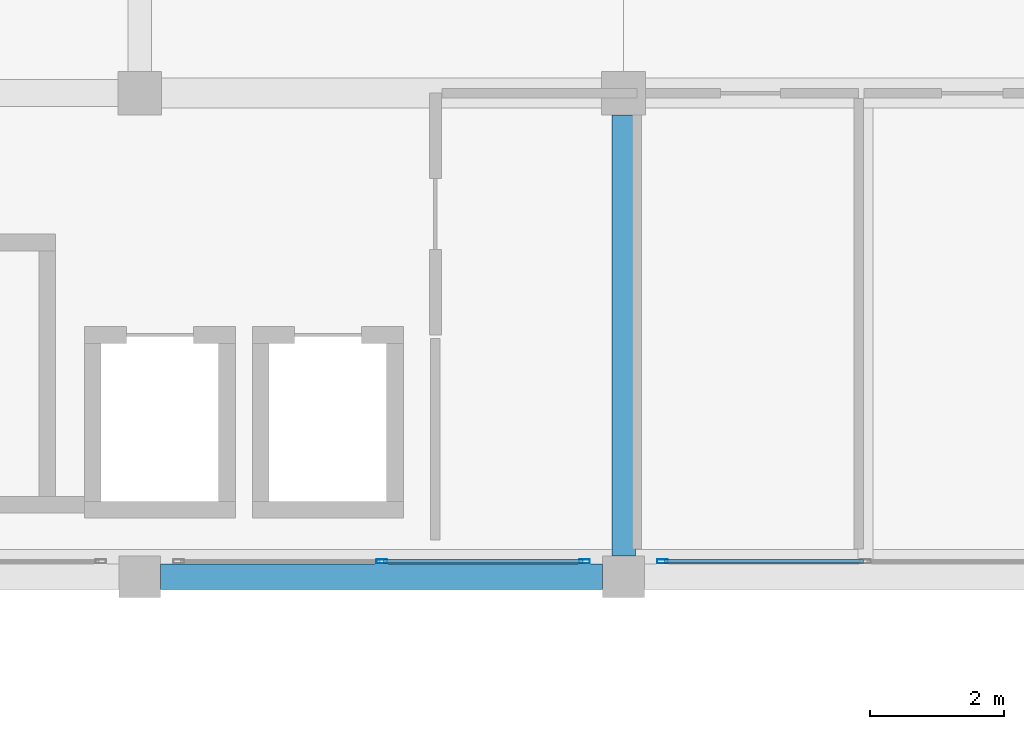
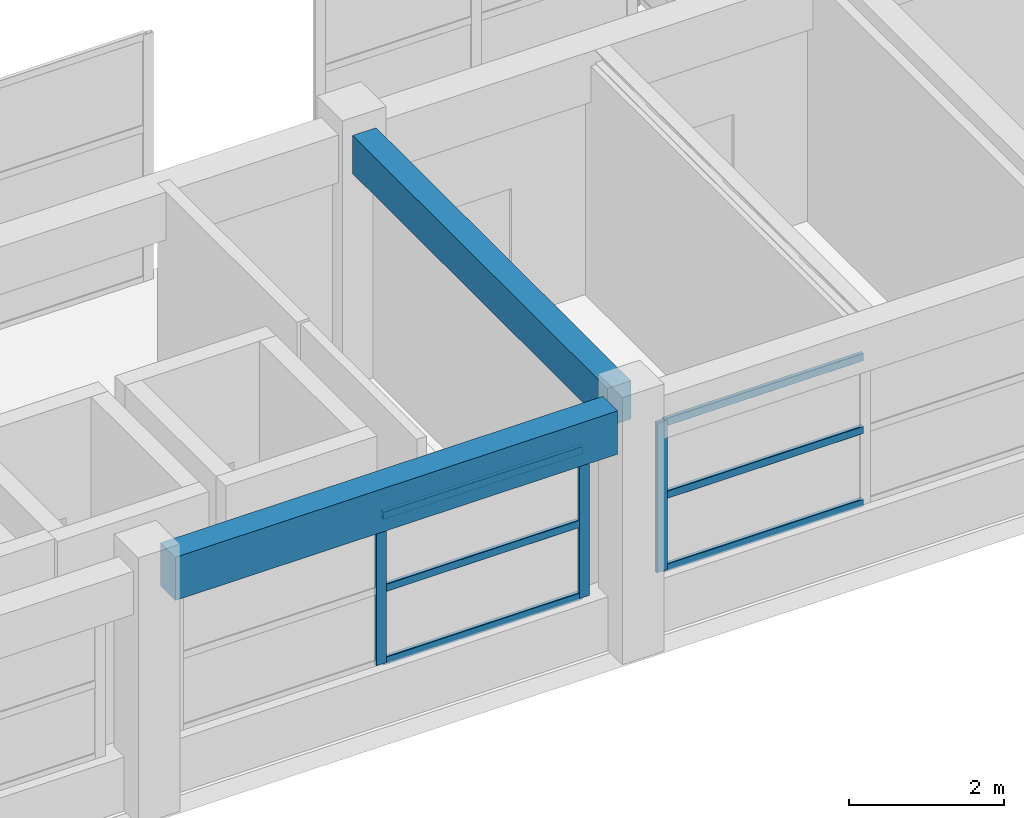
# One storey, part 22 of 67: 9 members, 2 beams, 2 elements without a shape of their own.
"""IFC4 building model written with IfcOpenShell, lengths in metres."""

import ifcopenshell
import ifcopenshell.guid

model = None  # the IFC model being written
_history = None  # IfcOwnerHistory: only IFC2X3 demands one
_inside = {}  # id of a spatial element -> (the spatial element, [elements in it])
_under = {}  # id of a project, library or spatial element -> (it, [spatial elements below it])
_declared = {}  # id of a project -> (the project, [libraries it declares])
_typed = {}  # id of a type object -> (the type object, [elements of that type])
_made_of = {}  # id of a material, layer set ... -> (it, [elements and type objects made of it])


def new_model(schema):
    """Start an empty IFC model of exactly this schema.

    Asked for "IFC4X3", IfcOpenShell would pick the latest addendum, in which some entities
    have other attributes; the version numbers below select the first issue.
    IFC2X3 requires an IfcOwnerHistory on every rooted entity: one is made here for all.
    """
    global model, _history
    if schema == "IFC4X3":
        model = ifcopenshell.file(schema_version=(4, 3, 0, 0))
    else:
        model = ifcopenshell.file(schema=schema)
    _inside.clear()
    _under.clear()
    _declared.clear()
    _typed.clear()
    _made_of.clear()
    _history = None
    if model.schema == "IFC2X3":
        org = make("IfcOrganization", Name="unknown")
        user = make(
            "IfcPersonAndOrganization",
            ThePerson=make("IfcPerson", FamilyName="unknown"),
            TheOrganization=org,
        )
        app = make(
            "IfcApplication",
            ApplicationDeveloper=org,
            Version="unknown",
            ApplicationFullName="unknown",
            ApplicationIdentifier="unknown",
        )
        _history = make(
            "IfcOwnerHistory",
            OwningUser=user,
            OwningApplication=app,
            ChangeAction="ADDED",
            CreationDate=0,
        )
    return model


def make(cls, **values):
    """One entity of the class cls with the attributes given. An attribute that is None is left unset."""
    return model.create_entity(
        cls, **{name: value for name, value in values.items() if value is not None}
    )


def rooted(cls, **values):
    """An entity with a GlobalId (a new one), such as an element, a storey or a relation."""
    return make(cls, GlobalId=ifcopenshell.guid.new(), OwnerHistory=_history, **values)


def si_unit(unit_type, name, prefix=None):
    """IfcSIUnit, for example si_unit("LENGTHUNIT", "METRE", prefix="MILLI")."""
    return make("IfcSIUnit", UnitType=unit_type, Prefix=prefix, Name=name)


def assignment(units):
    """IfcUnitAssignment: the units of a project."""
    return None if units is None else make("IfcUnitAssignment", Units=units)


def point(xyz):
    """IfcCartesianPoint."""
    return None if xyz is None else make("IfcCartesianPoint", Coordinates=xyz)


def direction(xyz):
    """IfcDirection."""
    return None if xyz is None else make("IfcDirection", DirectionRatios=xyz)


def frame(location, z_axis=None, x_axis=None):
    """IfcAxis2Placement3D, a coordinate frame: its origin and axes. An axis left out is left unset."""
    return make(
        "IfcAxis2Placement3D",
        Location=point(location),
        Axis=direction(z_axis),
        RefDirection=direction(x_axis),
    )


def frame_2d(location, x_axis=None):
    """IfcAxis2Placement2D, a coordinate frame in the plane: its origin and x axis."""
    return make(
        "IfcAxis2Placement2D", Location=point(location), RefDirection=direction(x_axis)
    )


def origin():
    """The frame at (0, 0, 0) with its axes left unset."""
    return frame((0.0, 0.0, 0.0))


def origin_2d():
    """The frame at (0, 0) in the plane with its x axis left unset."""
    return frame_2d((0.0, 0.0))


def place(relative_to, where):
    """IfcLocalPlacement: puts the frame where relative to a parent placement (None: the world)."""
    return make(
        "IfcLocalPlacement", PlacementRelTo=relative_to, RelativePlacement=where
    )


def context(
    kind, dimensions, precision=None, world=None, true_north=None, identifier=None
):
    """IfcGeometricRepresentationContext, for example the 3D "Model" context."""
    return make(
        "IfcGeometricRepresentationContext",
        ContextIdentifier=identifier,
        ContextType=kind,
        CoordinateSpaceDimension=dimensions,
        Precision=precision,
        WorldCoordinateSystem=world,
        TrueNorth=true_north,
    )


def subcontext(parent, identifier, kind, view, scale=None):
    """IfcGeometricRepresentationSubContext, for example "Body" below "Model"."""
    return make(
        "IfcGeometricRepresentationSubContext",
        ContextIdentifier=identifier,
        ContextType=kind,
        ParentContext=parent,
        TargetScale=scale,
        TargetView=view,
    )


def project(units=None, contexts=None):
    """IfcProject with its units and contexts."""
    return rooted(
        "IfcProject",
        Name="project",
        RepresentationContexts=contexts,
        UnitsInContext=assignment(units),
    )


def spatial(cls, under=None, at=None, **own):
    """A site, building, storey or space (cls), placed at a placement, below another one or the project."""
    s = rooted(cls, ObjectPlacement=at, **own)
    if under is not None:
        _under.setdefault(under.id(), (under, []))[1].append(s)
    return s


def profile(cls, at=None, kind="AREA", **sizes):
    """A parametric profile (cls). Its sizes go by their IFC names, for example OverallWidth=200.0."""
    return make(cls, ProfileType=kind, Position=at, **sizes)


def rectangle(**sizes):
    """IfcRectangleProfileDef."""
    return profile("IfcRectangleProfileDef", **sizes)


def hollow_rectangle(**sizes):
    """IfcRectangleHollowProfileDef."""
    return profile("IfcRectangleHollowProfileDef", **sizes)


def extrude(swept, where, along, depth):
    """IfcExtrudedAreaSolid: the profile swept, set in the frame where, extruded along a direction by depth."""
    return make(
        "IfcExtrudedAreaSolid",
        SweptArea=swept,
        Position=where,
        ExtrudedDirection=direction(along),
        Depth=depth,
    )


def shape(context_of_items, identifier, shape_type, items):
    """IfcShapeRepresentation: the items that make up one representation, for example the "Body"."""
    return make(
        "IfcShapeRepresentation",
        ContextOfItems=context_of_items,
        RepresentationIdentifier=identifier,
        RepresentationType=shape_type,
        Items=items,
    )


def material(Name=None, Category=None):
    """IfcMaterial."""
    return make("IfcMaterial", Name=Name, Category=Category)


def material_profile(
    of_material, cross_section, Name=None, Category=None, Priority=None
):
    """IfcMaterialProfile: a cross section and its material."""
    return make(
        "IfcMaterialProfile",
        Name=Name,
        Material=of_material,
        Profile=cross_section,
        Priority=Priority,
        Category=Category,
    )


def profile_set(profiles, Name=None, composite=None):
    """IfcMaterialProfileSet."""
    return make(
        "IfcMaterialProfileSet",
        Name=Name,
        MaterialProfiles=profiles,
        CompositeProfile=composite,
    )


def made_of(thing, what):
    """Note that an element or type object is made of a material, layer set ...; save() writes the relation."""
    if what is not None:
        _made_of.setdefault(what.id(), (what, []))[1].append(thing)
    return thing


def type_object(cls, material=None, **own):
    """A type object (cls), such as IfcWallType, which elements share."""
    return made_of(rooted(cls, **own), material)


def element(
    cls,
    number,
    at=None,
    inside=None,
    cuts=None,
    type_object=None,
    material=None,
    context=None,
    identifier="Body",
    shape_type=None,
    held_by="IfcProductDefinitionShape",
    body=None,
    shapes=None,
    **own,
):
    """One element of the class cls, such as IfcWall. Its Tag is "e" and its number.

    at: its placement. inside: the storey or other place that contains it. cuts: it is an
    opening in that element (IfcRelVoidsElement). A single representation is given by context,
    identifier, shape_type and body (its items); several are given by shapes. held_by: the class
    of the entity that holds the representations. save() writes the other relations.
    """
    e = rooted(cls, Tag="e%d" % number, ObjectPlacement=at, **own)
    if body is not None:
        shapes = [shape(context, identifier, shape_type, body)]
    if shapes is not None:
        e.Representation = make(held_by, Representations=shapes)
    if inside is not None:
        _inside.setdefault(inside.id(), (inside, []))[1].append(e)
    if cuts is not None:
        rooted(
            "IfcRelVoidsElement", RelatingBuildingElement=cuts, RelatedOpeningElement=e
        )
    if type_object is not None:
        _typed.setdefault(type_object.id(), (type_object, []))[1].append(e)
    return made_of(e, material)


def aggregate(whole, parts):
    """IfcRelAggregates: a whole, such as a stair, and the parts it consists of."""
    return rooted("IfcRelAggregates", RelatingObject=whole, RelatedObjects=parts)


def save(model, path):
    """Write the relations noted so far, then the file.

    IfcRelAggregates (storeys below a building ...), IfcRelContainedInSpatialStructure (elements
    in a storey), IfcRelDefinesByType, IfcRelAssociatesMaterial and IfcRelDeclares: one each for
    every whole, place, type object, material and project.
    """
    for whole, parts in _under.values():
        aggregate(whole, parts)
    for where, things in _inside.values():
        rooted(
            "IfcRelContainedInSpatialStructure",
            RelatedElements=things,
            RelatingStructure=where,
        )
    for kind, things in _typed.values():
        rooted("IfcRelDefinesByType", RelatedObjects=things, RelatingType=kind)
    for what, things in _made_of.values():
        rooted("IfcRelAssociatesMaterial", RelatedObjects=things, RelatingMaterial=what)
    for by, libraries in _declared.values():
        rooted("IfcRelDeclares", RelatingContext=by, RelatedDefinitions=libraries)
    model.write(path)


model = new_model("IFC4")

# Units and contexts
model_context = context("Model", 3, precision=1e-05, world=origin(), true_north=direction((0.0, 1.0)))
body_context = subcontext(model_context, "Body", "Model", "MODEL_VIEW")
ifc_project = project(units=[si_unit("LENGTHUNIT", "METRE"), si_unit("AREAUNIT", "SQUARE_METRE"), si_unit("VOLUMEUNIT", "CUBIC_METRE"), si_unit("PLANEANGLEUNIT", "RADIAN"), si_unit("MASSUNIT", "GRAM", prefix="KILO")], contexts=[model_context])

# Site, building, storey
site_placement = place(None, origin())
site = spatial("IfcSite", under=ifc_project, at=site_placement, CompositionType="ELEMENT")
building_placement = place(site_placement, origin())
building = spatial("IfcBuilding", under=site, at=building_placement, Name="Bramveld Media Centre", CompositionType="ELEMENT")
storey_placement = place(building_placement, frame((0.0, 0.0, 5.39990234375)))
storey = spatial("IfcBuildingStorey", under=building, at=storey_placement, Name="L01", CompositionType="ELEMENT", Elevation=5.39990234375)

# Beam
ifc_material_1 = material(Name="Concrete C40/50", Category="concrete")
ifc_material_profile_1 = material_profile(ifc_material_1, rectangle(XDim=0.35009765625, YDim=0.60009765625, at=origin_2d()), Name="RC 350x600")
ifc_profile_set_1 = profile_set([ifc_material_profile_1], Name="Concrete C40/50")
beam_type_1 = type_object("IfcBeamType", Name="BM-INT-RC-350x600", PredefinedType="BEAM", material=ifc_profile_set_1)
beam_1_placement = place(storey_placement, frame((87.199951171875, 90.7099609375, 3.6201171875), z_axis=(0.0, 1.0, 0.0), x_axis=(-1.0, 0.0, 0.0)))
element("IfcBeam", 1, at=beam_1_placement, inside=storey, type_object=beam_type_1, Name="V6 L01 girder Y-1032", PredefinedType="BEAM", context=body_context, shape_type="SweptSolid", body=[
    extrude(rectangle(XDim=0.35009765625, YDim=0.60009765625, at=origin_2d()), origin(), (0.0, 0.0, 1.0), 6.56494140625),
])

# Curtain wall, members
ifc_material_2 = material(Name="Thermally broken anodized bronze aluminium unitized curtain wall with solar-control triple glazing", Category="aluminium")
curtain_wall_type = type_object("IfcCurtainWallType", Name="CW-FACV6-6100x2350", PredefinedType="NOTDEFINED", material=ifc_material_2)
curtain_wall_1_placement = place(storey_placement, origin())
curtain_wall_1 = element("IfcCurtainWall", 2, at=curtain_wall_1_placement, inside=storey, type_object=curtain_wall_type, Name="V6 L01 S curtain wall bay 3", PredefinedType="NOTDEFINED")
ifc_material_3 = material(Name="Thermally broken anodized bronze aluminium EN AW-6063 T6 curtain-wall framing", Category="aluminium")
ifc_material_profile_2 = material_profile(ifc_material_3, hollow_rectangle(XDim=0.06005859375, YDim=0.159912109375, WallThickness=0.00390625, InnerFilletRadius=0.00390625, OuterFilletRadius=0.008056640625, at=origin_2d()), Name="AL-MULL 60x160")
ifc_profile_set_2 = profile_set([ifc_material_profile_2], Name="Thermally broken anodized bronze aluminium EN AW-6063 T6 curtain-wall framing")
member_type_1 = type_object("IfcMemberType", Name="CW-MULL-EXT", PredefinedType="MULLION", material=ifc_profile_set_2)
member_1_placement = place(storey_placement, frame((83.60009765625, 90.6298828125, 0.85009765625), z_axis=(0.0, 0.0, 1.0), x_axis=(0.0, 1.0, 0.0)))
member_1 = element("IfcMember", 3, at=member_1_placement, type_object=member_type_1, Name="CW-FA-6123 mullion 2", PredefinedType="MULLION", context=body_context, shape_type="SweptSolid", body=[
    extrude(hollow_rectangle(XDim=0.06005859375, YDim=0.159912109375, WallThickness=0.00390625, InnerFilletRadius=0.00390625, OuterFilletRadius=0.008056640625, at=origin_2d()), origin(), (0.0, 0.0, 1.0), 2.35009765625),
])
member_2_placement = place(storey_placement, frame((86.6201171875, 90.6298828125, 0.85009765625), z_axis=(0.0, 0.0, 1.0), x_axis=(0.0, 1.0, 0.0)))
member_2 = element("IfcMember", 4, at=member_2_placement, type_object=member_type_1, Name="CW-FA-6123 mullion 3", PredefinedType="MULLION", context=body_context, shape_type="SweptSolid", body=[
    extrude(hollow_rectangle(XDim=0.06005859375, YDim=0.159912109375, WallThickness=0.00390625, InnerFilletRadius=0.00390625, OuterFilletRadius=0.008056640625, at=origin_2d()), origin(), (0.0, 0.0, 1.0), 2.35009765625),
])

# Curtain wall, member
curtain_wall_2_placement = place(storey_placement, origin())
curtain_wall_2 = element("IfcCurtainWall", 5, at=curtain_wall_2_placement, inside=storey, type_object=curtain_wall_type, Name="V6 L01 S curtain wall bay 4", PredefinedType="NOTDEFINED")
member_3_placement = place(storey_placement, frame((87.780029296875, 90.6298828125, 0.85009765625), z_axis=(0.0, 0.0, 1.0), x_axis=(0.0, 1.0, 0.0)))
member_3 = element("IfcMember", 6, at=member_3_placement, type_object=member_type_1, Name="CW-FA-6123 mullion 1", PredefinedType="MULLION", context=body_context, shape_type="SweptSolid", body=[
    extrude(hollow_rectangle(XDim=0.06005859375, YDim=0.159912109375, WallThickness=0.00390625, InnerFilletRadius=0.00390625, OuterFilletRadius=0.008056640625, at=origin_2d()), origin(), (0.0, 0.0, 1.0), 2.35009765625),
])

# Member
ifc_material_4 = material(Name="Thermally broken anodized bronze aluminium EN AW-6063 T6 curtain-wall framing", Category="aluminium")
ifc_material_profile_3 = material_profile(ifc_material_4, hollow_rectangle(XDim=0.06005859375, YDim=0.1201171875, WallThickness=0.00341796875, InnerFilletRadius=0.00341796875, OuterFilletRadius=0.007080078125, at=origin_2d()), Name="AL-TRAN 60x120")
ifc_profile_set_3 = profile_set([ifc_material_profile_3], Name="Thermally broken anodized bronze aluminium EN AW-6063 T6 curtain-wall framing")
member_type_2 = type_object("IfcMemberType", Name="CW-TRAN-EXT", PredefinedType="USERDEFINED", material=ifc_profile_set_3)
member_4_placement = place(storey_placement, frame((83.6298828125, 90.6298828125, 0.880126953125), z_axis=(1.0, 0.0, 0.0), x_axis=(0.0, 1.0, 0.0)))
member_4 = element("IfcMember", 7, at=member_4_placement, type_object=member_type_2, Name="CW-FA-6123 transom 2.1", ObjectType="TRANSOM", PredefinedType="USERDEFINED", context=body_context, shape_type="SweptSolid", body=[
    extrude(hollow_rectangle(XDim=0.06005859375, YDim=0.1201171875, WallThickness=0.00341796875, InnerFilletRadius=0.00341796875, OuterFilletRadius=0.007080078125, at=origin_2d()), origin(), (0.0, 0.0, 1.0), 2.960205078125),
])

member_5_placement = place(storey_placement, frame((83.6298828125, 90.6298828125, 2.025146484375), z_axis=(1.0, 0.0, 0.0), x_axis=(0.0, 1.0, 0.0)))
member_5 = element("IfcMember", 8, at=member_5_placement, type_object=member_type_2, Name="CW-FA-6123 transom 2.2", ObjectType="TRANSOM", PredefinedType="USERDEFINED", context=body_context, shape_type="SweptSolid", body=[
    extrude(hollow_rectangle(XDim=0.06005859375, YDim=0.1201171875, WallThickness=0.00341796875, InnerFilletRadius=0.00341796875, OuterFilletRadius=0.007080078125, at=origin_2d()), origin(), (0.0, 0.0, 1.0), 2.960205078125),
])

member_6_placement = place(storey_placement, frame((83.6298828125, 90.6298828125, 3.170166015625), z_axis=(1.0, 0.0, 0.0), x_axis=(0.0, 1.0, 0.0)))
member_6 = element("IfcMember", 9, at=member_6_placement, type_object=member_type_2, Name="CW-FA-6123 transom 2.3", ObjectType="TRANSOM", PredefinedType="USERDEFINED", context=body_context, shape_type="SweptSolid", body=[
    extrude(hollow_rectangle(XDim=0.06005859375, YDim=0.1201171875, WallThickness=0.00341796875, InnerFilletRadius=0.00341796875, OuterFilletRadius=0.007080078125, at=origin_2d()), origin(), (0.0, 0.0, 1.0), 2.960205078125),
])

aggregate(curtain_wall_1, [member_1, member_2, member_4, member_5, member_6])

member_7_placement = place(storey_placement, frame((87.81005859375, 90.6298828125, 0.880126953125), z_axis=(1.0, 0.0, 0.0), x_axis=(0.0, 1.0, 0.0)))
member_7 = element("IfcMember", 10, at=member_7_placement, type_object=member_type_2, Name="CW-FA-6123 transom 1.1", ObjectType="TRANSOM", PredefinedType="USERDEFINED", context=body_context, shape_type="SweptSolid", body=[
    extrude(hollow_rectangle(XDim=0.06005859375, YDim=0.1201171875, WallThickness=0.00341796875, InnerFilletRadius=0.00341796875, OuterFilletRadius=0.007080078125, at=origin_2d()), origin(), (0.0, 0.0, 1.0), 2.9599609375),
])

member_8_placement = place(storey_placement, frame((87.81005859375, 90.6298828125, 2.025146484375), z_axis=(1.0, 0.0, 0.0), x_axis=(0.0, 1.0, 0.0)))
member_8 = element("IfcMember", 11, at=member_8_placement, type_object=member_type_2, Name="CW-FA-6123 transom 1.2", ObjectType="TRANSOM", PredefinedType="USERDEFINED", context=body_context, shape_type="SweptSolid", body=[
    extrude(hollow_rectangle(XDim=0.06005859375, YDim=0.1201171875, WallThickness=0.00341796875, InnerFilletRadius=0.00341796875, OuterFilletRadius=0.007080078125, at=origin_2d()), origin(), (0.0, 0.0, 1.0), 2.9599609375),
])

member_9_placement = place(storey_placement, frame((87.81005859375, 90.6298828125, 3.170166015625), z_axis=(1.0, 0.0, 0.0), x_axis=(0.0, 1.0, 0.0)))
member_9 = element("IfcMember", 12, at=member_9_placement, type_object=member_type_2, Name="CW-FA-6123 transom 1.3", ObjectType="TRANSOM", PredefinedType="USERDEFINED", context=body_context, shape_type="SweptSolid", body=[
    extrude(hollow_rectangle(XDim=0.06005859375, YDim=0.1201171875, WallThickness=0.00341796875, InnerFilletRadius=0.00341796875, OuterFilletRadius=0.007080078125, at=origin_2d()), origin(), (0.0, 0.0, 1.0), 2.9599609375),
])

aggregate(curtain_wall_2, [member_3, member_7, member_8, member_9])

# Beam
ifc_material_5 = material(Name="Concrete C40/50", Category="concrete")
ifc_material_profile_4 = material_profile(ifc_material_5, rectangle(XDim=0.3798828125, YDim=0.679931640625, at=origin_2d()), Name="RC 380x680")
ifc_profile_set_4 = profile_set([ifc_material_profile_4], Name="Concrete C40/50")
beam_type_2 = type_object("IfcBeamType", Name="SPANDREL-EXT-RC-380x680", PredefinedType="SPANDREL", material=ifc_profile_set_4)
beam_2_placement = place(storey_placement, frame((80.31005859375, 90.39990234375, 3.580078125), z_axis=(1.0, 0.0, 0.0), x_axis=(0.0, 1.0, 0.0)))
element("IfcBeam", 13, at=beam_2_placement, inside=storey, type_object=beam_type_2, Name="V6 L01 girder X-996", PredefinedType="SPANDREL", context=body_context, shape_type="SweptSolid", body=[
    extrude(rectangle(XDim=0.3798828125, YDim=0.679931640625, at=origin_2d()), origin(), (0.0, 0.0, 1.0), 6.579833984375),
])

save(model, "model.ifc")
